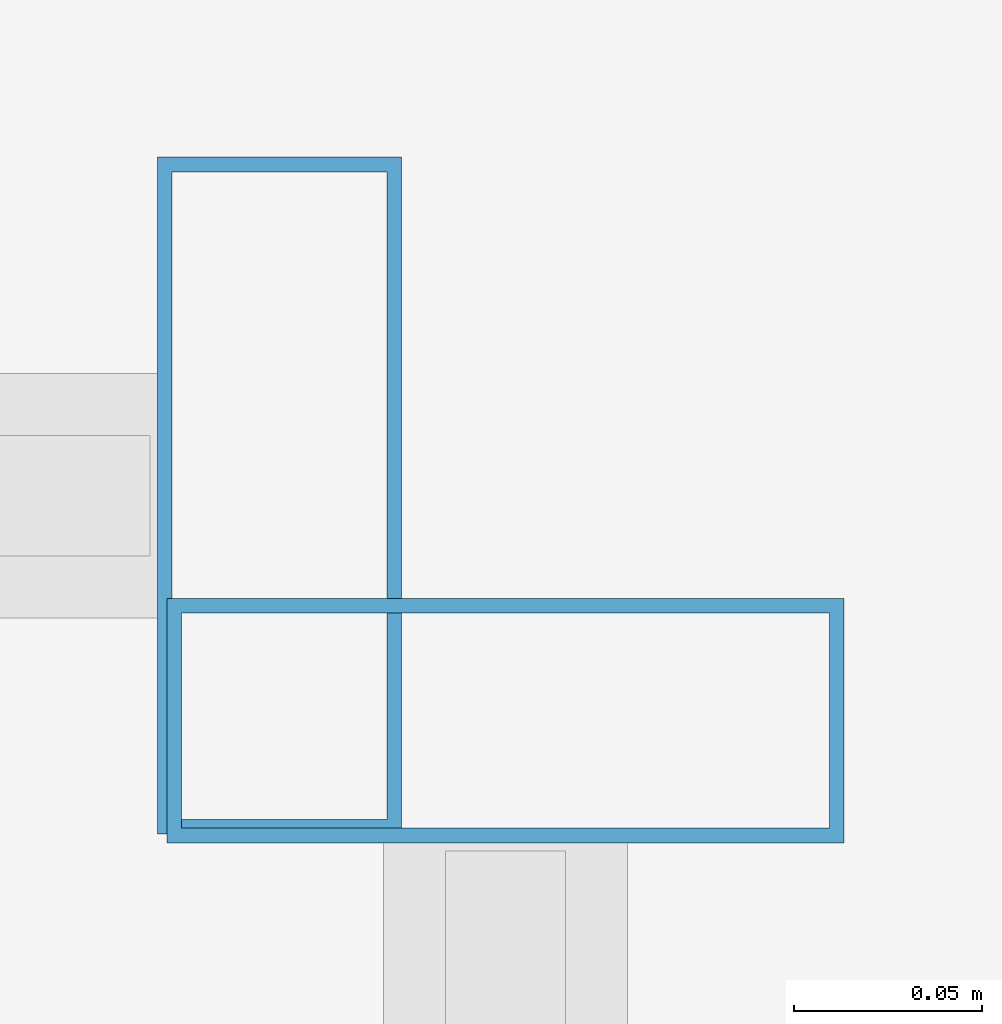
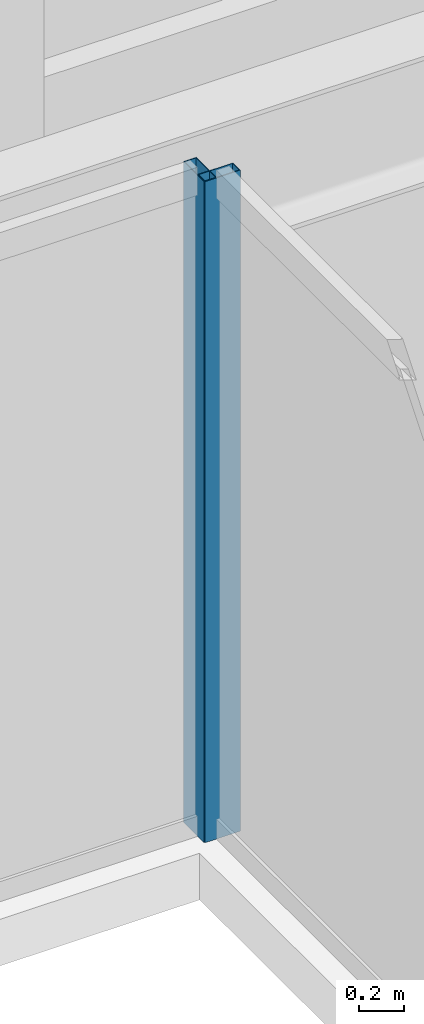
# One storey, part 13 of 37: 2 members, 2 elements without a shape of their own.
"""IFC4 building model written with IfcOpenShell, lengths in metres."""

from ifc_helpers import new_model, si_unit, direction, frame, origin, origin_2d, place, context, subcontext, project, spatial, hollow_rectangle, extrude, material, material_profile, profile_set, type_object, element, aggregate, save


model = new_model("IFC4")

# Units and contexts
model_context = context("Model", 3, precision=1e-05, world=origin(), true_north=direction((0.0, 1.0)))
body_context = subcontext(model_context, "Body", "Model", "MODEL_VIEW")
ifc_project = project(units=[si_unit("LENGTHUNIT", "METRE"), si_unit("AREAUNIT", "SQUARE_METRE"), si_unit("VOLUMEUNIT", "CUBIC_METRE"), si_unit("PLANEANGLEUNIT", "RADIAN"), si_unit("MASSUNIT", "GRAM", prefix="KILO")], contexts=[model_context])

# Site, building, storey
site_placement = place(None, origin())
site = spatial("IfcSite", under=ifc_project, at=site_placement, CompositionType="ELEMENT")
building_placement = place(site_placement, origin())
building = spatial("IfcBuilding", under=site, at=building_placement, Name="Saevonmaru Cultural Tower", CompositionType="ELEMENT")
storey_placement = place(building_placement, frame((0.0, 0.0, 160.0)))
storey = spatial("IfcBuildingStorey", under=building, at=storey_placement, Name="L35", CompositionType="ELEMENT", Elevation=160.0)

# Curtain wall, member
ifc_material = material(Name="Satin Bronze Anodised Aluminium", Category="aluminium")
curtain_wall_type = type_object("IfcCurtainWallType", Name="CW-ATR-GLZ", PredefinedType="NOTDEFINED", material=ifc_material)
curtain_wall_1_placement = place(storey_placement, origin())
curtain_wall_1 = element("IfcCurtainWall", 1, at=curtain_wall_1_placement, inside=storey, type_object=curtain_wall_type, Name="L35 Vertical Atrium Glazed Smoke Screen 2", PredefinedType="NOTDEFINED")
ifc_material_profile = material_profile(ifc_material, hollow_rectangle(XDim=0.06494140625, YDim=0.179931640625, WallThickness=0.00390625, at=origin_2d()), Name="ALU-MULL-180x65x4")
ifc_profile_set = profile_set([ifc_material_profile], Name="Satin Bronze Anodised Aluminium")
member_type = type_object("IfcMemberType", Name="ML-CW-INT-180x65", PredefinedType="MULLION", material=ifc_profile_set)
member_1_placement = place(storey_placement, frame((35.949951171875, 37.090087890625, 0.0), z_axis=(0.0, 0.0, 1.0), x_axis=(0.0, 1.0, 0.0)))
member_1 = element("IfcMember", 2, at=member_1_placement, type_object=member_type, Name="CW-ATR-L35-2 mullion 2", PredefinedType="MULLION", context=body_context, shape_type="SweptSolid", body=[
    extrude(hollow_rectangle(XDim=0.06494140625, YDim=0.179931640625, WallThickness=0.00390625, at=origin_2d()), origin(), (0.0, 0.0, 1.0), 3.550048828125),
])
aggregate(curtain_wall_1, [member_1])

curtain_wall_2_placement = place(storey_placement, origin())
curtain_wall_2 = element("IfcCurtainWall", 3, at=curtain_wall_2_placement, inside=storey, type_object=curtain_wall_type, Name="L35 Vertical Atrium Glazed Smoke Screen 3", PredefinedType="NOTDEFINED")
member_2_placement = place(storey_placement, frame((35.889892578125, 37.14990234375, 0.0), z_axis=(0.0, 0.0, 1.0), x_axis=(-1.0, 0.0, 0.0)))
member_2 = element("IfcMember", 4, at=member_2_placement, type_object=member_type, Name="CW-ATR-L35-3 mullion 1", PredefinedType="MULLION", context=body_context, shape_type="SweptSolid", body=[
    extrude(hollow_rectangle(XDim=0.06494140625, YDim=0.179931640625, WallThickness=0.00390625, at=origin_2d()), origin(), (0.0, 0.0, 1.0), 3.550048828125),
])
aggregate(curtain_wall_2, [member_2])

save(model, "model.ifc")
